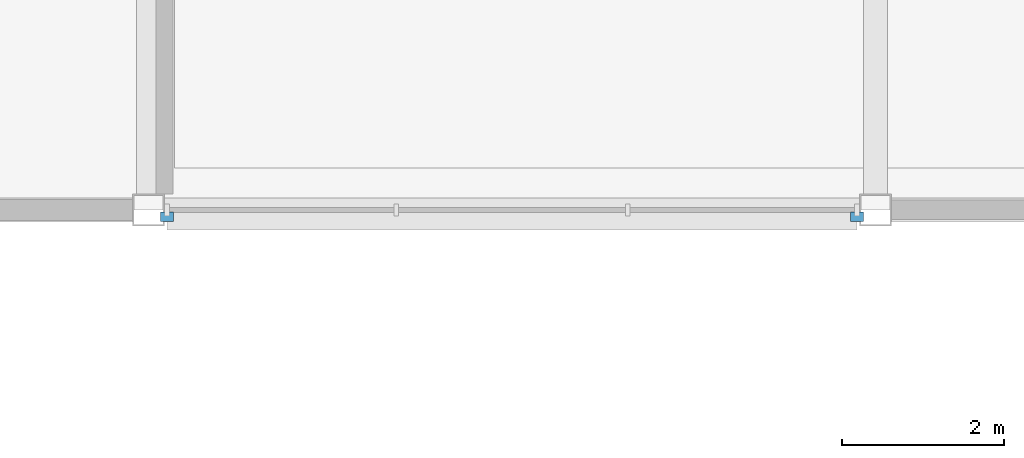
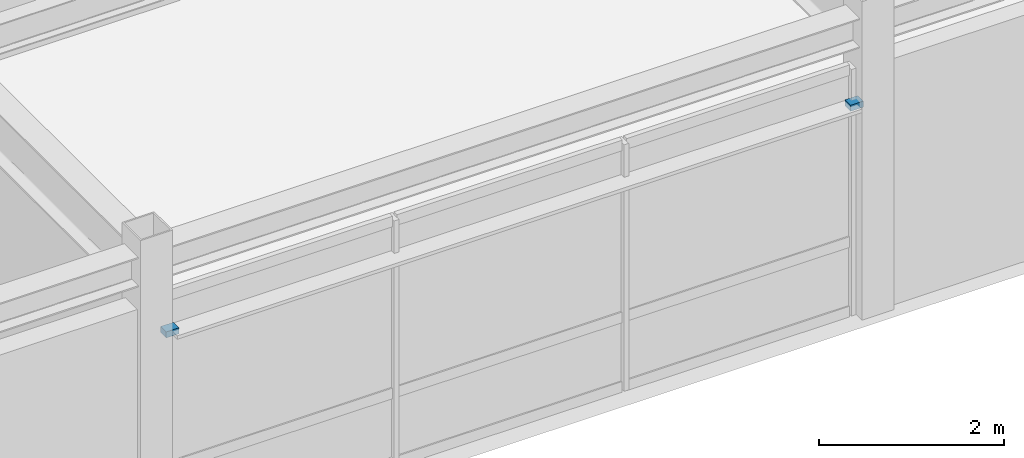
# One storey, part 88 of 108: 2 discrete accessories.
"""IFC4 building model written with IfcOpenShell, lengths in metres."""

from ifc_helpers import new_model, si_unit, direction, frame, origin, origin_2d, place, context, subcontext, project, spatial, rectangle, extrude, material, type_object, element, save


model = new_model("IFC4")

# Units and contexts
model_context = context("Model", 3, precision=1e-05, world=origin(), true_north=direction((0.0, 1.0)))
body_context = subcontext(model_context, "Body", "Model", "MODEL_VIEW")
ifc_project = project(units=[si_unit("LENGTHUNIT", "METRE"), si_unit("AREAUNIT", "SQUARE_METRE"), si_unit("VOLUMEUNIT", "CUBIC_METRE"), si_unit("PLANEANGLEUNIT", "RADIAN"), si_unit("MASSUNIT", "GRAM", prefix="KILO")], contexts=[model_context])

# Site, building, storey
site_placement = place(None, origin())
site = spatial("IfcSite", under=ifc_project, at=site_placement, CompositionType="ELEMENT")
building_placement = place(site_placement, origin())
building = spatial("IfcBuilding", under=site, at=building_placement, Name="Suzunagisa Mobility Hub", CompositionType="ELEMENT")
storey_placement = place(building_placement, frame((0.0, 0.0, 9.300048828125)))
storey = spatial("IfcBuildingStorey", under=building, at=storey_placement, Name="L02", CompositionType="ELEMENT", Elevation=9.300048828125)

# Discrete accessories
ifc_material = material(Name="Stainless Steel SUS316", Category="metal")
discrete_accessory_type = type_object("IfcDiscreteAccessoryType", Name="Stainless Sunshade Outrigger Bracket BRK-01", PredefinedType="BRACKET", material=ifc_material)
for number, where, z_axis, x_axis, name in (
    (1, (99.22998046875, 79.9150390625, 2.760009765625), (0.0, 0.0, 1.0), (1.0, 0.0, 0.0), "Sunshade Outrigger Bracket BRK-22.1"),
    (2, (107.77001953125, 79.9150390625, 2.760009765625), (0.0, 0.0, 1.0), (1.0, 0.0, 0.0), "Sunshade Outrigger Bracket BRK-22.2"),
):
    element("IfcDiscreteAccessory", number, at=place(storey_placement, frame(where, z_axis=z_axis, x_axis=x_axis)), inside=storey, type_object=discrete_accessory_type, Name=name, PredefinedType="BRACKET", context=body_context, shape_type="SweptSolid", body=[
        extrude(rectangle(XDim=0.159912109375, YDim=0.1201171875, at=origin_2d()), origin(), (0.0, 0.0, 1.0), 0.080078125),
    ])

save(model, "model.ifc")
